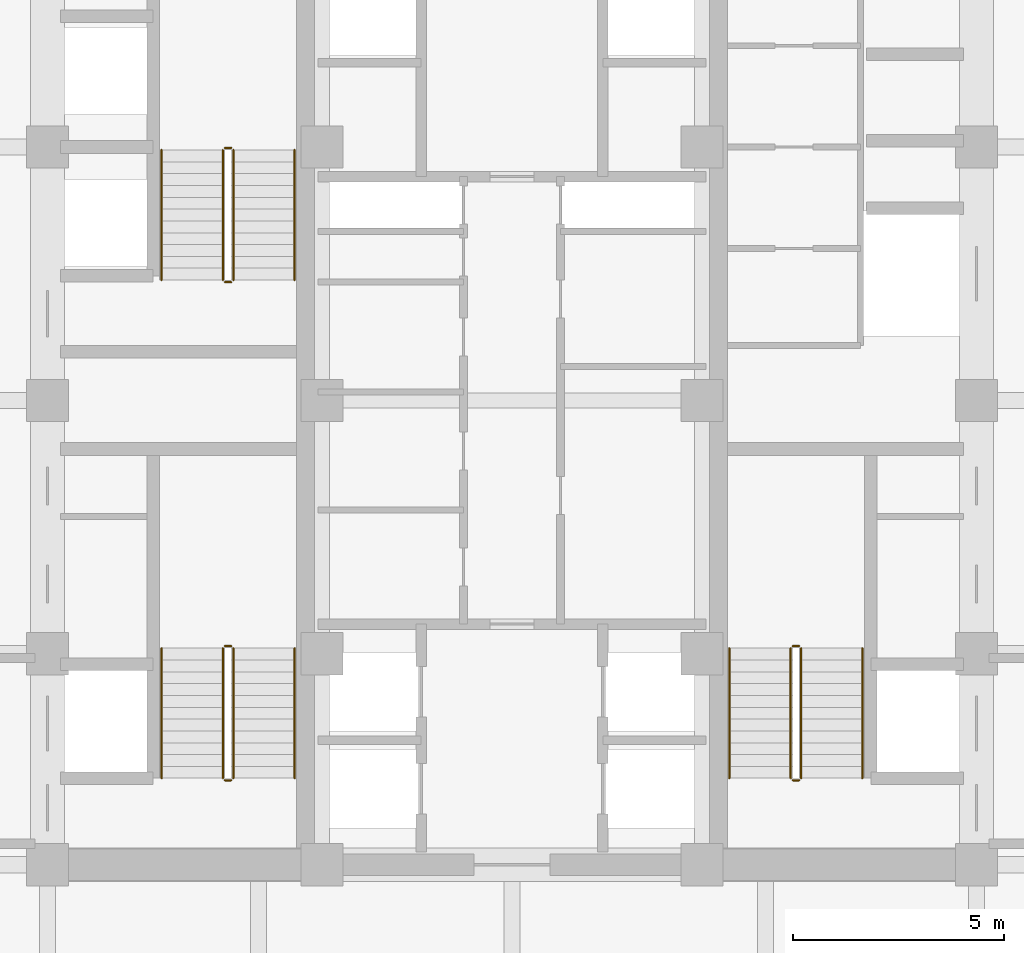
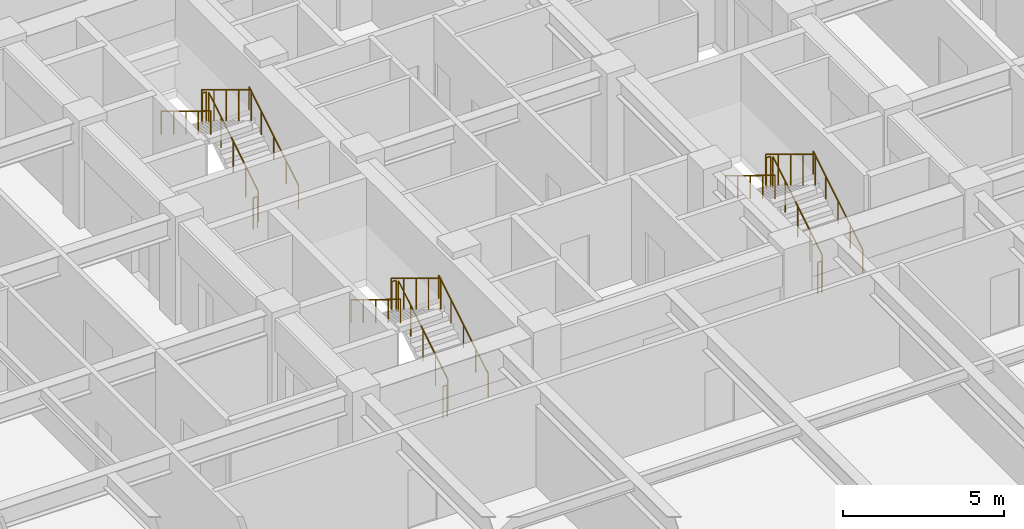
# One storey, part 27 of 27: 18 railings.
"""IFC4 building model written with IfcOpenShell, lengths in metres."""

import ifcopenshell
import ifcopenshell.guid

model = None  # the IFC model being written
_history = None  # IfcOwnerHistory: only IFC2X3 demands one
_inside = {}  # id of a spatial element -> (the spatial element, [elements in it])
_under = {}  # id of a project, library or spatial element -> (it, [spatial elements below it])
_declared = {}  # id of a project -> (the project, [libraries it declares])
_typed = {}  # id of a type object -> (the type object, [elements of that type])
_made_of = {}  # id of a material, layer set ... -> (it, [elements and type objects made of it])


def new_model(schema):
    """Start an empty IFC model of exactly this schema.

    Asked for "IFC4X3", IfcOpenShell would pick the latest addendum, in which some entities
    have other attributes; the version numbers below select the first issue.
    IFC2X3 requires an IfcOwnerHistory on every rooted entity: one is made here for all.
    """
    global model, _history
    if schema == "IFC4X3":
        model = ifcopenshell.file(schema_version=(4, 3, 0, 0))
    else:
        model = ifcopenshell.file(schema=schema)
    _inside.clear()
    _under.clear()
    _declared.clear()
    _typed.clear()
    _made_of.clear()
    _history = None
    if model.schema == "IFC2X3":
        org = make("IfcOrganization", Name="unknown")
        user = make(
            "IfcPersonAndOrganization",
            ThePerson=make("IfcPerson", FamilyName="unknown"),
            TheOrganization=org,
        )
        app = make(
            "IfcApplication",
            ApplicationDeveloper=org,
            Version="unknown",
            ApplicationFullName="unknown",
            ApplicationIdentifier="unknown",
        )
        _history = make(
            "IfcOwnerHistory",
            OwningUser=user,
            OwningApplication=app,
            ChangeAction="ADDED",
            CreationDate=0,
        )
    return model


def make(cls, **values):
    """One entity of the class cls with the attributes given. An attribute that is None is left unset."""
    return model.create_entity(
        cls, **{name: value for name, value in values.items() if value is not None}
    )


def rooted(cls, **values):
    """An entity with a GlobalId (a new one), such as an element, a storey or a relation."""
    return make(cls, GlobalId=ifcopenshell.guid.new(), OwnerHistory=_history, **values)


def si_unit(unit_type, name, prefix=None):
    """IfcSIUnit, for example si_unit("LENGTHUNIT", "METRE", prefix="MILLI")."""
    return make("IfcSIUnit", UnitType=unit_type, Prefix=prefix, Name=name)


def assignment(units):
    """IfcUnitAssignment: the units of a project."""
    return None if units is None else make("IfcUnitAssignment", Units=units)


def point(xyz):
    """IfcCartesianPoint."""
    return None if xyz is None else make("IfcCartesianPoint", Coordinates=xyz)


def direction(xyz):
    """IfcDirection."""
    return None if xyz is None else make("IfcDirection", DirectionRatios=xyz)


def frame(location, z_axis=None, x_axis=None):
    """IfcAxis2Placement3D, a coordinate frame: its origin and axes. An axis left out is left unset."""
    return make(
        "IfcAxis2Placement3D",
        Location=point(location),
        Axis=direction(z_axis),
        RefDirection=direction(x_axis),
    )


def frame_2d(location, x_axis=None):
    """IfcAxis2Placement2D, a coordinate frame in the plane: its origin and x axis."""
    return make(
        "IfcAxis2Placement2D", Location=point(location), RefDirection=direction(x_axis)
    )


def origin():
    """The frame at (0, 0, 0) with its axes left unset."""
    return frame((0.0, 0.0, 0.0))


def origin_2d():
    """The frame at (0, 0) in the plane with its x axis left unset."""
    return frame_2d((0.0, 0.0))


def place(relative_to, where):
    """IfcLocalPlacement: puts the frame where relative to a parent placement (None: the world)."""
    return make(
        "IfcLocalPlacement", PlacementRelTo=relative_to, RelativePlacement=where
    )


def context(
    kind, dimensions, precision=None, world=None, true_north=None, identifier=None
):
    """IfcGeometricRepresentationContext, for example the 3D "Model" context."""
    return make(
        "IfcGeometricRepresentationContext",
        ContextIdentifier=identifier,
        ContextType=kind,
        CoordinateSpaceDimension=dimensions,
        Precision=precision,
        WorldCoordinateSystem=world,
        TrueNorth=true_north,
    )


def subcontext(parent, identifier, kind, view, scale=None):
    """IfcGeometricRepresentationSubContext, for example "Body" below "Model"."""
    return make(
        "IfcGeometricRepresentationSubContext",
        ContextIdentifier=identifier,
        ContextType=kind,
        ParentContext=parent,
        TargetScale=scale,
        TargetView=view,
    )


def project(units=None, contexts=None):
    """IfcProject with its units and contexts."""
    return rooted(
        "IfcProject",
        Name="project",
        RepresentationContexts=contexts,
        UnitsInContext=assignment(units),
    )


def spatial(cls, under=None, at=None, **own):
    """A site, building, storey or space (cls), placed at a placement, below another one or the project."""
    s = rooted(cls, ObjectPlacement=at, **own)
    if under is not None:
        _under.setdefault(under.id(), (under, []))[1].append(s)
    return s


def profile(cls, at=None, kind="AREA", **sizes):
    """A parametric profile (cls). Its sizes go by their IFC names, for example OverallWidth=200.0."""
    return make(cls, ProfileType=kind, Position=at, **sizes)


def circle(**sizes):
    """IfcCircleProfileDef."""
    return profile("IfcCircleProfileDef", **sizes)


def extrude(swept, where, along, depth):
    """IfcExtrudedAreaSolid: the profile swept, set in the frame where, extruded along a direction by depth."""
    return make(
        "IfcExtrudedAreaSolid",
        SweptArea=swept,
        Position=where,
        ExtrudedDirection=direction(along),
        Depth=depth,
    )


def shape(context_of_items, identifier, shape_type, items):
    """IfcShapeRepresentation: the items that make up one representation, for example the "Body"."""
    return make(
        "IfcShapeRepresentation",
        ContextOfItems=context_of_items,
        RepresentationIdentifier=identifier,
        RepresentationType=shape_type,
        Items=items,
    )


def source(mapping_origin, context_of_items, identifier, shape_type, items):
    """IfcRepresentationMap: a shape defined once, which mapped items show again and again."""
    return make(
        "IfcRepresentationMap",
        MappingOrigin=mapping_origin,
        MappedRepresentation=shape(context_of_items, identifier, shape_type, items),
    )


def transform(
    local_origin,
    x_axis=None,
    y_axis=None,
    z_axis=None,
    scale=None,
    scale2=None,
    scale3=None,
    uniform=True,
):
    """IfcCartesianTransformationOperator3D, or its non-uniform kind. x_axis, y_axis, z_axis: its Axis1, 2, 3."""
    if uniform:
        return make(
            "IfcCartesianTransformationOperator3D",
            Axis1=direction(x_axis),
            Axis2=direction(y_axis),
            LocalOrigin=point(local_origin),
            Scale=scale,
            Axis3=direction(z_axis),
        )
    return make(
        "IfcCartesianTransformationOperator3DnonUniform",
        Axis1=direction(x_axis),
        Axis2=direction(y_axis),
        LocalOrigin=point(local_origin),
        Scale=scale,
        Axis3=direction(z_axis),
        Scale2=scale2,
        Scale3=scale3,
    )


def mapped(mapping_source, mapping_target):
    """IfcMappedItem: shows the shape of a source again, moved by a transform."""
    return make(
        "IfcMappedItem", MappingSource=mapping_source, MappingTarget=mapping_target
    )


def material(Name=None, Category=None):
    """IfcMaterial."""
    return make("IfcMaterial", Name=Name, Category=Category)


def made_of(thing, what):
    """Note that an element or type object is made of a material, layer set ...; save() writes the relation."""
    if what is not None:
        _made_of.setdefault(what.id(), (what, []))[1].append(thing)
    return thing


def type_object(cls, material=None, **own):
    """A type object (cls), such as IfcWallType, which elements share."""
    return made_of(rooted(cls, **own), material)


def element(
    cls,
    number,
    at=None,
    inside=None,
    cuts=None,
    type_object=None,
    material=None,
    context=None,
    identifier="Body",
    shape_type=None,
    held_by="IfcProductDefinitionShape",
    body=None,
    shapes=None,
    **own,
):
    """One element of the class cls, such as IfcWall. Its Tag is "e" and its number.

    at: its placement. inside: the storey or other place that contains it. cuts: it is an
    opening in that element (IfcRelVoidsElement). A single representation is given by context,
    identifier, shape_type and body (its items); several are given by shapes. held_by: the class
    of the entity that holds the representations. save() writes the other relations.
    """
    e = rooted(cls, Tag="e%d" % number, ObjectPlacement=at, **own)
    if body is not None:
        shapes = [shape(context, identifier, shape_type, body)]
    if shapes is not None:
        e.Representation = make(held_by, Representations=shapes)
    if inside is not None:
        _inside.setdefault(inside.id(), (inside, []))[1].append(e)
    if cuts is not None:
        rooted(
            "IfcRelVoidsElement", RelatingBuildingElement=cuts, RelatedOpeningElement=e
        )
    if type_object is not None:
        _typed.setdefault(type_object.id(), (type_object, []))[1].append(e)
    return made_of(e, material)


def aggregate(whole, parts):
    """IfcRelAggregates: a whole, such as a stair, and the parts it consists of."""
    return rooted("IfcRelAggregates", RelatingObject=whole, RelatedObjects=parts)


def save(model, path):
    """Write the relations noted so far, then the file.

    IfcRelAggregates (storeys below a building ...), IfcRelContainedInSpatialStructure (elements
    in a storey), IfcRelDefinesByType, IfcRelAssociatesMaterial and IfcRelDeclares: one each for
    every whole, place, type object, material and project.
    """
    for whole, parts in _under.values():
        aggregate(whole, parts)
    for where, things in _inside.values():
        rooted(
            "IfcRelContainedInSpatialStructure",
            RelatedElements=things,
            RelatingStructure=where,
        )
    for kind, things in _typed.values():
        rooted("IfcRelDefinesByType", RelatedObjects=things, RelatingType=kind)
    for what, things in _made_of.values():
        rooted("IfcRelAssociatesMaterial", RelatedObjects=things, RelatingMaterial=what)
    for by, libraries in _declared.values():
        rooted("IfcRelDeclares", RelatingContext=by, RelatedDefinitions=libraries)
    model.write(path)


model = new_model("IFC4")

# Units and contexts
model_context = context("Model", 3, precision=1e-05, world=origin(), true_north=direction((0.0, 1.0)))
body_context = subcontext(model_context, "Body", "Model", "MODEL_VIEW")
ifc_project = project(units=[si_unit("LENGTHUNIT", "METRE"), si_unit("AREAUNIT", "SQUARE_METRE"), si_unit("VOLUMEUNIT", "CUBIC_METRE"), si_unit("PLANEANGLEUNIT", "RADIAN"), si_unit("MASSUNIT", "GRAM", prefix="KILO")], contexts=[model_context])

# Site, building, storey
site_placement = place(None, origin())
site = spatial("IfcSite", under=ifc_project, at=site_placement, CompositionType="ELEMENT")
building_placement = place(site_placement, origin())
building = spatial("IfcBuilding", under=site, at=building_placement, Name="Khorayat Bourse Tower", CompositionType="ELEMENT")
storey_placement = place(building_placement, frame((0.0, 0.0, 103.699951171875)))
storey = spatial("IfcBuildingStorey", under=building, at=storey_placement, Name="L23", CompositionType="ELEMENT", Elevation=103.699951171875)

# Railings
ifc_material_1 = material(Name="Powder-coated steel balustrade", Category="steel")
railing_type_1 = type_object("IfcRailingType", Name="RLG-GUARD-1200", PredefinedType="GUARDRAIL", material=ifc_material_1)
shared_shape_1 = source(origin(), body_context, "Body", "SweptSolid", [
    extrude(circle(Radius=0.02392578125, at=origin_2d()), frame((0.0, 0.0, 1.17578125), z_axis=(-1.0, 0.0, 0.0), x_axis=(0.0, -1.0, 0.0)), (0.0, 0.0, 1.0), 0.150146484375),
    extrude(circle(Radius=0.02099609375, at=origin_2d()), origin(), (0.0, 0.0, 1.0), 1.15185546875),
    extrude(circle(Radius=0.02099609375, at=origin_2d()), frame((-0.150146484375, 0.0, 0.0)), (0.0, 0.0, 1.0), 1.15185546875),
])
for number, where, name in (
    (1, (-6.64990234375, -5.820068359375, 2.050048828125), "L23 ST-1 stair guard 2"),
    (2, (-6.64990234375, -9.0, 0.0), "L23 ST-1 stair guard 4"),
    (3, (-6.64990234375, 5.97998046875, 2.050048828125), "L23 ST-2 stair guard 2"),
    (4, (-6.64990234375, 2.800048828125, 0.0), "L23 ST-2 stair guard 4"),
    (5, (6.800048828125, -5.820068359375, 2.050048828125), "L23 ST-3 stair guard 2"),
    (6, (6.800048828125, -9.0, 0.0), "L23 ST-3 stair guard 4"),
):
    element("IfcRailing", number, at=place(storey_placement, frame(where)), inside=storey, type_object=railing_type_1, Name=name, PredefinedType="GUARDRAIL", context=body_context, shape_type="MappedRepresentation", body=[
        mapped(shared_shape_1, transform((0.0, 0.0, 0.0), scale=1.0)),
    ])
shared_shape_2 = source(origin(), body_context, "Body", "SweptSolid", [
    extrude(circle(Radius=0.02392578125, at=origin_2d()), frame((0.0, 0.0, 1.17578125), z_axis=(0.0, 0.853647949592, 0.520850437417), x_axis=(-1.0, 0.0, 0.0)), (0.0, 0.0, 1.0), 3.60791015625),
    extrude(circle(Radius=0.02099609375, at=origin_2d()), origin(), (0.0, 0.0, 1.0), 1.15185546875),
    extrude(circle(Radius=0.02099609375, at=origin_2d()), frame((0.0, 0.77001953125, 0.4697265625)), (0.0, 0.0, 1.0), 1.15185546875),
    extrude(circle(Radius=0.02099609375, at=origin_2d()), frame((0.0, 1.5400390625, 0.939453125)), (0.0, 0.0, 1.0), 1.15185546875),
    extrude(circle(Radius=0.02099609375, at=origin_2d()), frame((0.0, 2.309814453125, 1.409423828125)), (0.0, 0.0, 1.0), 1.15185546875),
    extrude(circle(Radius=0.02099609375, at=origin_2d()), frame((0.0, 3.079833984375, 1.879150390625)), (0.0, 0.0, 1.0), 1.15185546875),
])
for number, where, name in (
    (7, (-6.60009765625, -8.949951171875, 0.1708984375), "L23 ST-1 stair guard 1"),
    (8, (-6.60009765625, 2.85009765625, 0.1708984375), "L23 ST-2 stair guard 1"),
    (9, (6.85009765625, -8.949951171875, 0.1708984375), "L23 ST-3 stair guard 1"),
):
    element("IfcRailing", number, at=place(storey_placement, frame(where)), inside=storey, type_object=railing_type_1, Name=name, PredefinedType="GUARDRAIL", context=body_context, shape_type="MappedRepresentation", body=[
        mapped(shared_shape_2, transform((0.0, 0.0, 0.0), scale=1.0)),
    ])
shared_shape_3 = source(origin(), body_context, "Body", "SweptSolid", [
    extrude(circle(Radius=0.02392578125, at=origin_2d()), frame((0.0, 0.0, 1.17578125), z_axis=(0.0, -0.853647949592, 0.520850437417), x_axis=(1.0, 0.0, 0.0)), (0.0, 0.0, 1.0), 3.60791015625),
    extrude(circle(Radius=0.02099609375, at=origin_2d()), origin(), (0.0, 0.0, 1.0), 1.15185546875),
    extrude(circle(Radius=0.02099609375, at=origin_2d()), frame((0.0, -0.77001953125, 0.4697265625)), (0.0, 0.0, 1.0), 1.15185546875),
    extrude(circle(Radius=0.02099609375, at=origin_2d()), frame((0.0, -1.5400390625, 0.939453125)), (0.0, 0.0, 1.0), 1.15185546875),
    extrude(circle(Radius=0.02099609375, at=origin_2d()), frame((0.0, -2.309814453125, 1.409423828125)), (0.0, 0.0, 1.0), 1.15185546875),
    extrude(circle(Radius=0.02099609375, at=origin_2d()), frame((0.0, -3.079833984375, 1.879150390625)), (0.0, 0.0, 1.0), 1.15185546875),
])
for number, where, name in (
    (10, (-6.85009765625, -5.8701171875, 2.220947265625), "L23 ST-1 stair guard 3"),
    (11, (-6.85009765625, 5.929931640625, 2.220947265625), "L23 ST-2 stair guard 3"),
    (12, (6.60009765625, -5.8701171875, 2.220947265625), "L23 ST-3 stair guard 3"),
):
    element("IfcRailing", number, at=place(storey_placement, frame(where)), inside=storey, type_object=railing_type_1, Name=name, PredefinedType="GUARDRAIL", context=body_context, shape_type="MappedRepresentation", body=[
        mapped(shared_shape_3, transform((0.0, 0.0, 0.0), scale=1.0)),
    ])
ifc_material_2 = material(Name="Brushed bronze stainless-steel handrail", Category="steel")
railing_type_2 = type_object("IfcRailingType", Name="RLG-HAND-900", PredefinedType="HANDRAIL", material=ifc_material_2)
shared_shape_4 = source(origin(), body_context, "Body", "SweptSolid", [
    extrude(circle(Radius=0.02392578125, at=origin_2d()), frame((0.0, 0.0, 0.8759765625), z_axis=(0.0, 0.853647949592, 0.520850437417), x_axis=(-1.0, 0.0, 0.0)), (0.0, 0.0, 1.0), 3.60791015625),
    extrude(circle(Radius=0.02099609375, at=origin_2d()), origin(), (0.0, 0.0, 1.0), 0.851806640625),
    extrude(circle(Radius=0.02099609375, at=origin_2d()), frame((0.0, 0.77001953125, 0.4697265625)), (0.0, 0.0, 1.0), 0.851806640625),
    extrude(circle(Radius=0.02099609375, at=origin_2d()), frame((0.0, 1.5400390625, 0.939453125)), (0.0, 0.0, 1.0), 0.851806640625),
    extrude(circle(Radius=0.02099609375, at=origin_2d()), frame((0.0, 2.309814453125, 1.409423828125)), (0.0, 0.0, 1.0), 0.851806640625),
    extrude(circle(Radius=0.02099609375, at=origin_2d()), frame((0.0, 3.079833984375, 1.879150390625)), (0.0, 0.0, 1.0), 0.851806640625),
])
for number, where, name in (
    (13, (-5.14990234375, -8.949951171875, 0.1708984375), "L23 ST-1 stair handrail 1"),
    (14, (-5.14990234375, 2.85009765625, 0.1708984375), "L23 ST-2 stair handrail 1"),
    (15, (8.300048828125, -8.949951171875, 0.1708984375), "L23 ST-3 stair handrail 1"),
):
    element("IfcRailing", number, at=place(storey_placement, frame(where)), inside=storey, type_object=railing_type_2, Name=name, PredefinedType="HANDRAIL", context=body_context, shape_type="MappedRepresentation", body=[
        mapped(shared_shape_4, transform((0.0, 0.0, 0.0), scale=1.0)),
    ])
shared_shape_5 = source(origin(), body_context, "Body", "SweptSolid", [
    extrude(circle(Radius=0.02392578125, at=origin_2d()), frame((0.0, 0.0, 0.8759765625), z_axis=(0.0, -0.853647949592, 0.520850437417), x_axis=(1.0, 0.0, 0.0)), (0.0, 0.0, 1.0), 3.60791015625),
    extrude(circle(Radius=0.02099609375, at=origin_2d()), origin(), (0.0, 0.0, 1.0), 0.851806640625),
    extrude(circle(Radius=0.02099609375, at=origin_2d()), frame((0.0, -0.77001953125, 0.4697265625)), (0.0, 0.0, 1.0), 0.851806640625),
    extrude(circle(Radius=0.02099609375, at=origin_2d()), frame((0.0, -1.5400390625, 0.939453125)), (0.0, 0.0, 1.0), 0.851806640625),
    extrude(circle(Radius=0.02099609375, at=origin_2d()), frame((0.0, -2.309814453125, 1.409423828125)), (0.0, 0.0, 1.0), 0.851806640625),
    extrude(circle(Radius=0.02099609375, at=origin_2d()), frame((0.0, -3.079833984375, 1.879150390625)), (0.0, 0.0, 1.0), 0.851806640625),
])
for number, where, name in (
    (16, (-8.300048828125, -5.8701171875, 2.220947265625), "L23 ST-1 stair handrail 2"),
    (17, (-8.300048828125, 5.929931640625, 2.220947265625), "L23 ST-2 stair handrail 2"),
    (18, (5.14990234375, -5.8701171875, 2.220947265625), "L23 ST-3 stair handrail 2"),
):
    element("IfcRailing", number, at=place(storey_placement, frame(where)), inside=storey, type_object=railing_type_2, Name=name, PredefinedType="HANDRAIL", context=body_context, shape_type="MappedRepresentation", body=[
        mapped(shared_shape_5, transform((0.0, 0.0, 0.0), scale=1.0)),
    ])

save(model, "model.ifc")
